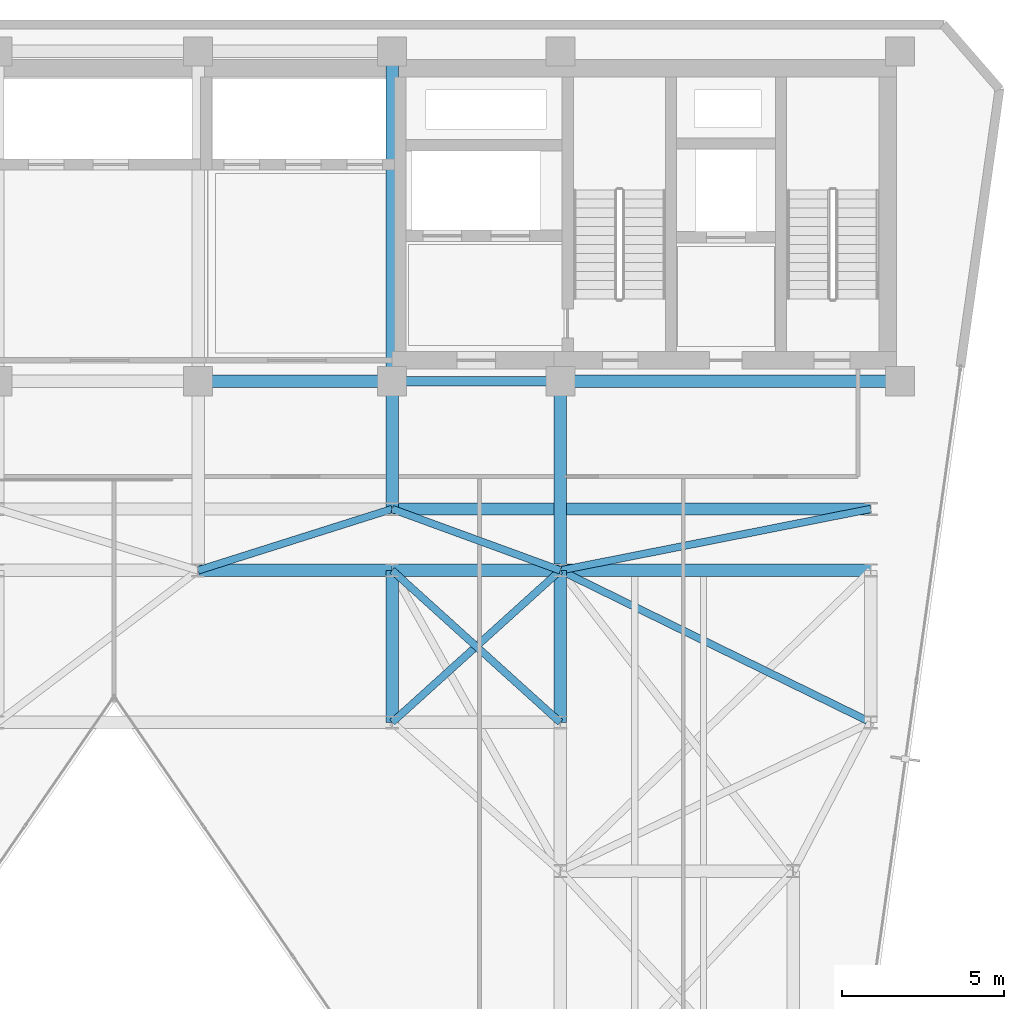
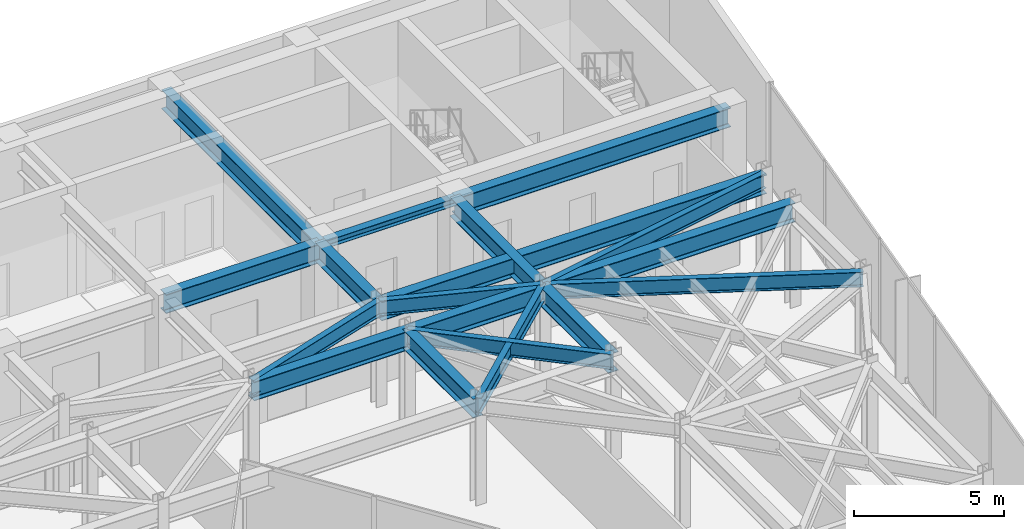
# One storey, part 19 of 25: 18 beams.
"""IFC4 building model written with IfcOpenShell, lengths in metres."""

from ifc_helpers import new_model, si_unit, direction, frame, origin, origin_2d, place, context, subcontext, project, spatial, i_section, extrude, material, material_profile, profile_set, type_object, element, save


model = new_model("IFC4")

# Units and contexts
model_context = context("Model", 3, precision=1e-05, world=origin(), true_north=direction((0.0, 1.0)))
body_context = subcontext(model_context, "Body", "Model", "MODEL_VIEW")
ifc_project = project(units=[si_unit("LENGTHUNIT", "METRE"), si_unit("AREAUNIT", "SQUARE_METRE"), si_unit("VOLUMEUNIT", "CUBIC_METRE"), si_unit("PLANEANGLEUNIT", "RADIAN"), si_unit("MASSUNIT", "GRAM", prefix="KILO")], contexts=[model_context])

# Site, building, storey
site_placement = place(None, origin())
site = spatial("IfcSite", under=ifc_project, at=site_placement, CompositionType="ELEMENT")
building_placement = place(site_placement, origin())
building = spatial("IfcBuilding", under=site, at=building_placement, Name="Kravanh Interchange Tower", CompositionType="ELEMENT")
storey_placement = place(building_placement, frame((0.0, 0.0, 220.5)))
storey = spatial("IfcBuildingStorey", under=building, at=storey_placement, Name="L53", CompositionType="ELEMENT", Elevation=220.5)

# Beams
ifc_material_1 = material(Name="Structural Steel S355", Category="steel")
ifc_material_profile_1 = material_profile(ifc_material_1, i_section(OverallWidth=0.381103515625, OverallDepth=0.77294921875, WebThickness=0.0166015625, FlangeThickness=0.027099609375, FilletRadius=0.02490234375, at=origin_2d()), Name="W30X173")
ifc_profile_set_1 = profile_set([ifc_material_profile_1], Name="Structural Steel S355")
beam_type_1 = type_object("IfcBeamType", Name="Floor Beam W30X173 Structural Steel S355", PredefinedType="BEAM", material=ifc_profile_set_1)
beam_1_placement = place(storey_placement, frame((66.5, 37.35009765625, 3.83349609375), z_axis=(-1.0, 0.0, 0.0), x_axis=(0.0, -1.0, 0.0)))
element("IfcBeam", 1, at=beam_1_placement, inside=storey, type_object=beam_type_1, Name="L53 Primary Floor Girder 5", PredefinedType="BEAM", context=body_context, shape_type="SweptSolid", body=[
    extrude(i_section(OverallWidth=0.381103515625, OverallDepth=0.77294921875, WebThickness=0.0166015625, FlangeThickness=0.027099609375, FilletRadius=0.02490234375, at=origin_2d()), origin(), (0.0, 0.0, 1.0), 10.5),
])
beam_2_placement = place(storey_placement, frame((56.0, 37.35009765625, 3.83349609375), z_axis=(0.0, -1.0, 0.0), x_axis=(1.0, 0.0, 0.0)))
element("IfcBeam", 2, at=beam_2_placement, inside=storey, type_object=beam_type_1, Name="L53 Primary Floor Girder 7", PredefinedType="BEAM", context=body_context, shape_type="SweptSolid", body=[
    extrude(i_section(OverallWidth=0.381103515625, OverallDepth=0.77294921875, WebThickness=0.0166015625, FlangeThickness=0.027099609375, FilletRadius=0.02490234375, at=origin_2d()), origin(), (0.0, 0.0, 1.0), 5.85009765625),
])
beam_3_placement = place(storey_placement, frame((50.800048828125, 47.550048828125, 3.83349609375), z_axis=(0.0, -1.0, 0.0), x_axis=(1.0, 0.0, 0.0)))
element("IfcBeam", 3, at=beam_3_placement, inside=storey, type_object=beam_type_1, Name="L53 Primary Floor Girder 9", PredefinedType="BEAM", context=body_context, shape_type="SweptSolid", body=[
    extrude(i_section(OverallWidth=0.381103515625, OverallDepth=0.77294921875, WebThickness=0.0166015625, FlangeThickness=0.027099609375, FilletRadius=0.02490234375, at=origin_2d()), origin(), (0.0, 0.0, 1.0), 10.199951171875),
])
beam_4_placement = place(storey_placement, frame((50.800048828125, 37.35009765625, 3.83349609375), z_axis=(0.0, -1.0, 0.0), x_axis=(1.0, 0.0, 0.0)))
element("IfcBeam", 4, at=beam_4_placement, inside=storey, type_object=beam_type_1, Name="L53 Primary Floor Girder 10", PredefinedType="BEAM", context=body_context, shape_type="SweptSolid", body=[
    extrude(i_section(OverallWidth=0.381103515625, OverallDepth=0.77294921875, WebThickness=0.0166015625, FlangeThickness=0.027099609375, FilletRadius=0.02490234375, at=origin_2d()), origin(), (0.0, 0.0, 1.0), 3.9501953125),
])
beam_5_placement = place(storey_placement, frame((50.800048828125, 37.35009765625, 3.83349609375), z_axis=(-1.0, 0.0, 0.0), x_axis=(0.0, -1.0, 0.0)))
element("IfcBeam", 5, at=beam_5_placement, inside=storey, type_object=beam_type_1, Name="L53 Primary Floor Girder 11", PredefinedType="BEAM", context=body_context, shape_type="SweptSolid", body=[
    extrude(i_section(OverallWidth=0.381103515625, OverallDepth=0.77294921875, WebThickness=0.0166015625, FlangeThickness=0.027099609375, FilletRadius=0.02490234375, at=origin_2d()), origin(), (0.0, 0.0, 1.0), 6.0),
])
for number, where, z_axis, x_axis, name in (
    (6, (50.800048828125, 26.800048828125, 3.83349609375), (0.0, 1.0, 0.0), (-1.0, 0.0, 0.0), "L53 Primary Floor Girder 49"),
    (7, (56.0, 26.800048828125, 3.83349609375), (0.0, 1.0, 0.0), (-1.0, 0.0, 0.0), "L53 Primary Floor Girder 54"),
):
    element("IfcBeam", number, at=place(storey_placement, frame(where, z_axis=z_axis, x_axis=x_axis)), inside=storey, type_object=beam_type_1, Name=name, PredefinedType="BEAM", context=body_context, shape_type="SweptSolid", body=[
        extrude(i_section(OverallWidth=0.381103515625, OverallDepth=0.77294921875, WebThickness=0.0166015625, FlangeThickness=0.027099609375, FilletRadius=0.02490234375, at=origin_2d()), origin(), (0.0, 0.0, 1.0), 4.699951171875),
    ])
beam_6_placement = place(storey_placement, frame((44.800048828125, 31.5, 3.83349609375), z_axis=(1.0, 0.0, 0.0), x_axis=(0.0, 1.0, 0.0)))
element("IfcBeam", 8, at=beam_6_placement, inside=storey, type_object=beam_type_1, Name="L53 Primary Floor Girder 74", PredefinedType="BEAM", context=body_context, shape_type="SweptSolid", body=[
    extrude(i_section(OverallWidth=0.381103515625, OverallDepth=0.77294921875, WebThickness=0.0166015625, FlangeThickness=0.027099609375, FilletRadius=0.02490234375, at=origin_2d()), origin(), (0.0, 0.0, 1.0), 6.0),
])
beam_7_placement = place(storey_placement, frame((50.800048828125, 31.5, 3.83349609375), z_axis=(1.0, 0.0, 0.0), x_axis=(0.0, 1.0, 0.0)))
element("IfcBeam", 9, at=beam_7_placement, inside=storey, type_object=beam_type_1, Name="L53 Primary Floor Girder 77", PredefinedType="BEAM", context=body_context, shape_type="SweptSolid", body=[
    extrude(i_section(OverallWidth=0.381103515625, OverallDepth=0.77294921875, WebThickness=0.0166015625, FlangeThickness=0.027099609375, FilletRadius=0.02490234375, at=origin_2d()), origin(), (0.0, 0.0, 1.0), 5.199951171875),
])
beam_8_placement = place(storey_placement, frame((56.0, 31.5, 3.83349609375), z_axis=(1.0, 0.0, 0.0), x_axis=(0.0, 1.0, 0.0)))
element("IfcBeam", 10, at=beam_8_placement, inside=storey, type_object=beam_type_1, Name="L53 Primary Floor Girder 81", PredefinedType="BEAM", context=body_context, shape_type="SweptSolid", body=[
    extrude(i_section(OverallWidth=0.381103515625, OverallDepth=0.77294921875, WebThickness=0.0166015625, FlangeThickness=0.027099609375, FilletRadius=0.02490234375, at=origin_2d()), origin(), (0.0, 0.0, 1.0), 9.60009765625),
])
beam_9_placement = place(storey_placement, frame((50.800048828125, 33.39990234375, 3.83349609375), z_axis=(1.0, 0.0, 0.0), x_axis=(0.0, 1.0, 0.0)))
element("IfcBeam", 11, at=beam_9_placement, inside=storey, type_object=beam_type_1, Name="L53 Primary Floor Girder 95", PredefinedType="BEAM", context=body_context, shape_type="SweptSolid", body=[
    extrude(i_section(OverallWidth=0.381103515625, OverallDepth=0.77294921875, WebThickness=0.0166015625, FlangeThickness=0.027099609375, FilletRadius=0.02490234375, at=origin_2d()), origin(), (0.0, 0.0, 1.0), 14.800048828125),
])
ifc_material_2 = material(Name="Structural Steel S355", Category="steel")
ifc_material_profile_2 = material_profile(ifc_material_2, i_section(OverallWidth=0.304931640625, OverallDepth=0.306884765625, WebThickness=0.010009765625, FlangeThickness=0.015380859375, FilletRadius=0.014892578125, at=origin_2d()), Name="W12X65")
ifc_profile_set_2 = profile_set([ifc_material_profile_2], Name="Structural Steel S355")
beam_type_2 = type_object("IfcBeamType", Name="Floor Lintel W12X65 Structural Steel S355", PredefinedType="LINTEL", material=ifc_profile_set_2)
beam_10_placement = place(storey_placement, frame((50.800048828125, 37.35009765625, 4.06640625), z_axis=(1.0, 0.0, 0.0), x_axis=(0.0, 1.0, 0.0)))
element("IfcBeam", 12, at=beam_10_placement, inside=storey, type_object=beam_type_2, Name="L53 Core Coupling Lintel 1", PredefinedType="LINTEL", context=body_context, shape_type="SweptSolid", body=[
    extrude(i_section(OverallWidth=0.304931640625, OverallDepth=0.306884765625, WebThickness=0.010009765625, FlangeThickness=0.015380859375, FilletRadius=0.014892578125, at=origin_2d()), origin(), (0.0, 0.0, 1.0), 5.199951171875),
])
ifc_material_3 = material(Name="Structural Steel S355", Category="steel")
ifc_material_profile_3 = material_profile(ifc_material_3, i_section(OverallWidth=0.22802734375, OverallDepth=0.60791015625, WebThickness=0.01123046875, FlangeThickness=0.017333984375, FilletRadius=0.02197265625, at=origin_2d()), Name="W24X76")
ifc_profile_set_3 = profile_set([ifc_material_profile_3], Name="Structural Steel S355")
beam_type_3 = type_object("IfcBeamType", Name="Floor Spandrel W24X76 Structural Steel S355", PredefinedType="SPANDREL", material=ifc_profile_set_3)
for number, where, z_axis, x_axis, name in (
    (13, (50.800048828125, 26.800048828125, 3.916015625), (0.741874009795, 0.670539300557, 0.0), (-0.670539300557, 0.741874009795, 0.0), "L53 Perimeter Spandrel 52"),
    (14, (56.0, 26.800048828125, 3.916015625), (-0.741874009795, 0.670539300557, 0.0), (-0.670539300557, -0.741874009795, 0.0), "L53 Perimeter Spandrel 55"),
):
    element("IfcBeam", number, at=place(storey_placement, frame(where, z_axis=z_axis, x_axis=x_axis)), inside=storey, type_object=beam_type_3, Name=name, PredefinedType="SPANDREL", context=body_context, shape_type="SweptSolid", body=[
        extrude(i_section(OverallWidth=0.22802734375, OverallDepth=0.60791015625, WebThickness=0.01123046875, FlangeThickness=0.017333984375, FilletRadius=0.02197265625, at=origin_2d()), origin(), (0.0, 0.0, 1.0), 7.00927734375),
    ])
beam_11_placement = place(storey_placement, frame((65.60009765625, 26.800048828125, 3.916015625), z_axis=(-0.898141688387, 0.439706160499, 0.0), x_axis=(-0.439706160499, -0.898141688387, 0.0)))
element("IfcBeam", 15, at=beam_11_placement, inside=storey, type_object=beam_type_3, Name="L53 Perimeter Spandrel 60", PredefinedType="SPANDREL", context=body_context, shape_type="SweptSolid", body=[
    extrude(i_section(OverallWidth=0.22802734375, OverallDepth=0.60791015625, WebThickness=0.01123046875, FlangeThickness=0.017333984375, FilletRadius=0.02197265625, at=origin_2d()), origin(), (0.0, 0.0, 1.0), 10.68896484375),
])
beam_12_placement = place(storey_placement, frame((44.800048828125, 31.5, 3.916015625), z_axis=(0.953346691051, 0.301877602122, 0.0), x_axis=(-0.301877602122, 0.953346691051, 0.0)))
element("IfcBeam", 16, at=beam_12_placement, inside=storey, type_object=beam_type_3, Name="L53 Perimeter Spandrel 75", PredefinedType="SPANDREL", context=body_context, shape_type="SweptSolid", body=[
    extrude(i_section(OverallWidth=0.22802734375, OverallDepth=0.60791015625, WebThickness=0.01123046875, FlangeThickness=0.017333984375, FilletRadius=0.02197265625, at=origin_2d()), origin(), (0.0, 0.0, 1.0), 6.293701171875),
])
beam_13_placement = place(storey_placement, frame((56.0, 31.5, 3.916015625), z_axis=(-0.93926957103, 0.343180233896, 0.0), x_axis=(-0.343180233896, -0.93926957103, 0.0)))
element("IfcBeam", 17, at=beam_13_placement, inside=storey, type_object=beam_type_3, Name="L53 Perimeter Spandrel 80", PredefinedType="SPANDREL", context=body_context, shape_type="SweptSolid", body=[
    extrude(i_section(OverallWidth=0.22802734375, OverallDepth=0.60791015625, WebThickness=0.01123046875, FlangeThickness=0.017333984375, FilletRadius=0.02197265625, at=origin_2d()), origin(), (0.0, 0.0, 1.0), 5.5361328125),
])
beam_14_placement = place(storey_placement, frame((56.0, 31.5, 3.916015625), z_axis=(0.980974000807, 0.194139150457, 0.0), x_axis=(-0.194139150457, 0.980974000807, 0.0)))
element("IfcBeam", 18, at=beam_14_placement, inside=storey, type_object=beam_type_3, Name="L53 Perimeter Spandrel 82", PredefinedType="SPANDREL", context=body_context, shape_type="SweptSolid", body=[
    extrude(i_section(OverallWidth=0.22802734375, OverallDepth=0.60791015625, WebThickness=0.01123046875, FlangeThickness=0.017333984375, FilletRadius=0.02197265625, at=origin_2d()), origin(), (0.0, 0.0, 1.0), 9.786376953125),
])

save(model, "model.ifc")
